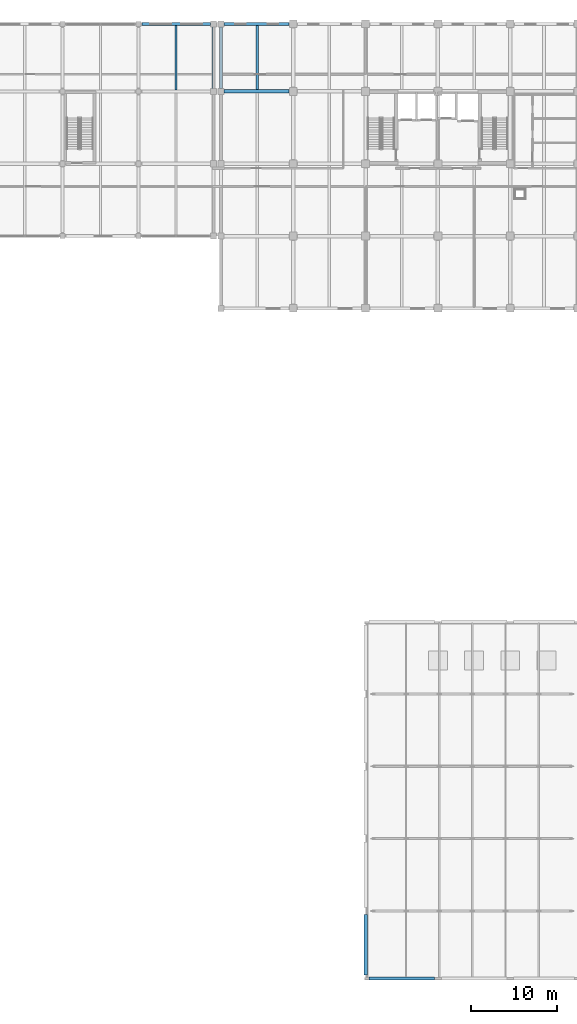
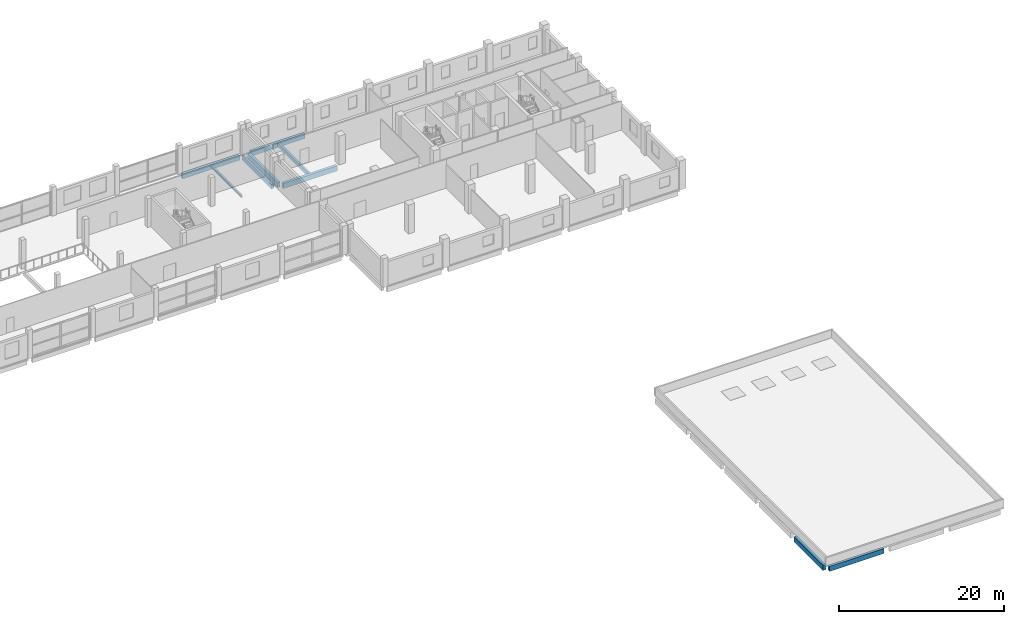
# One storey, part 13 of 38: 9 beams.
"""IFC4 building model written with IfcOpenShell, lengths in metres."""

from ifc_helpers import new_model, si_unit, direction, frame, origin, origin_2d, place, context, subcontext, project, spatial, rectangle, i_section, extrude, material, material_profile, profile_set, type_object, element, save


model = new_model("IFC4")

# Units and contexts
model_context = context("Model", 3, precision=1e-05, world=origin(), true_north=direction((0.0, 1.0)))
body_context = subcontext(model_context, "Body", "Model", "MODEL_VIEW")
ifc_project = project(units=[si_unit("LENGTHUNIT", "METRE"), si_unit("AREAUNIT", "SQUARE_METRE"), si_unit("VOLUMEUNIT", "CUBIC_METRE"), si_unit("PLANEANGLEUNIT", "RADIAN"), si_unit("MASSUNIT", "GRAM", prefix="KILO")], contexts=[model_context])

# Site, building, storey
site_placement = place(None, origin())
site = spatial("IfcSite", under=ifc_project, at=site_placement, CompositionType="ELEMENT")
building_placement = place(site_placement, origin())
building = spatial("IfcBuilding", under=site, at=building_placement, Name="Brinegate Botanical Conservatory", CompositionType="ELEMENT")
storey_placement = place(building_placement, frame((0.0, 0.0, 10.199951171875)))
storey = spatial("IfcBuildingStorey", under=building, at=storey_placement, Name="L03", CompositionType="ELEMENT", Elevation=10.199951171875)

# Beams
ifc_material_1 = material(Name="Concrete C50/60", Category="concrete")
ifc_material_profile_1 = material_profile(ifc_material_1, rectangle(XDim=0.39990234375, YDim=0.75, at=origin_2d()), Name="RC BM 400x750")
ifc_profile_set_1 = profile_set([ifc_material_profile_1], Name="Concrete C50/60")
beam_type_1 = type_object("IfcBeamType", Name="Beam_BM-T1", PredefinedType="BEAM", material=ifc_profile_set_1)
beam_1_placement = place(storey_placement, frame((122.35009765625, 103.60009765625, -0.594970703125), z_axis=(1.0, 0.0, 0.0), x_axis=(0.0, 1.0, 0.0)))
element("IfcBeam", 1, at=beam_1_placement, inside=storey, type_object=beam_type_1, Name="Beam BM-T1 L03 N:16-17", PredefinedType="BEAM", context=body_context, shape_type="SweptSolid", body=[
    extrude(rectangle(XDim=0.39990234375, YDim=0.75, at=origin_2d()), origin(), (0.0, 0.0, 1.0), 7.5498046875),
])
beam_2_placement = place(storey_placement, frame((122.0, 103.949951171875, -0.594970703125), z_axis=(0.0, 1.0, 0.0), x_axis=(-1.0, 0.0, 0.0)))
element("IfcBeam", 2, at=beam_2_placement, inside=storey, type_object=beam_type_1, Name="Beam BM-T1 L03 16:N-P", PredefinedType="BEAM", context=body_context, shape_type="SweptSolid", body=[
    extrude(rectangle(XDim=0.39990234375, YDim=0.75, at=origin_2d()), origin(), (0.0, 0.0, 1.0), 7.150146484375),
])
beam_3_placement = place(storey_placement, frame((138.800048828125, 0.949951171875, -0.574951171875), z_axis=(0.0, 1.0, 0.0), x_axis=(-1.0, 0.0, 0.0)))
element("IfcBeam", 3, at=beam_3_placement, inside=storey, type_object=beam_type_1, Name="Beam BM-T1 L03 18:A-B", PredefinedType="BEAM", context=body_context, shape_type="SweptSolid", body=[
    extrude(rectangle(XDim=0.39990234375, YDim=0.75, at=origin_2d()), origin(), (0.0, 0.0, 1.0), 7.050048828125),
])
ifc_material_2 = material(Name="Concrete C40/50", Category="concrete")
ifc_material_profile_2 = material_profile(ifc_material_2, rectangle(XDim=0.35009765625, YDim=0.64990234375, at=origin_2d()), Name="RC BM 350x650")
ifc_profile_set_2 = profile_set([ifc_material_profile_2], Name="Concrete C40/50")
beam_type_2 = type_object("IfcBeamType", Name="Beam_BM-V3", PredefinedType="BEAM", material=ifc_profile_set_2)
beam_4_placement = place(storey_placement, frame((121.14990234375, 103.949951171875, -0.544921875), z_axis=(0.0, 1.0, 0.0), x_axis=(-1.0, 0.0, 0.0)))
element("IfcBeam", 4, at=beam_4_placement, inside=storey, type_object=beam_type_2, Name="Beam BM-V3 L03 15:N-P", PredefinedType="BEAM", context=body_context, shape_type="SweptSolid", body=[
    extrude(rectangle(XDim=0.35009765625, YDim=0.64990234375, at=origin_2d()), origin(), (0.0, 0.0, 1.0), 7.150146484375),
])
ifc_material_profile_3 = material_profile(ifc_material_2, rectangle(XDim=0.300048828125, YDim=0.550048828125, at=origin_2d()), Name="RC JST 300x550")
ifc_profile_set_3 = profile_set([ifc_material_profile_3], Name="Concrete C40/50")
beam_type_3 = type_object("IfcBeamType", Name="Beam_JS-C1", PredefinedType="JOIST", material=ifc_profile_set_3)
beam_5_placement = place(storey_placement, frame((126.199951171875, 103.800048828125, -0.494873046875), z_axis=(0.0, 1.0, 0.0), x_axis=(-1.0, 0.0, 0.0)))
element("IfcBeam", 5, at=beam_5_placement, inside=storey, type_object=beam_type_3, Name="Floor joist JS-C1 L03 bay 16.13", PredefinedType="JOIST", context=body_context, shape_type="SweptSolid", body=[
    extrude(rectangle(XDim=0.300048828125, YDim=0.550048828125, at=origin_2d()), origin(), (0.0, 0.0, 1.0), 7.474853515625),
])
ifc_material_3 = material(Name="Structural steel Q355B / S355", Category="steel")
ifc_material_profile_4 = material_profile(ifc_material_3, i_section(OverallWidth=0.25, OverallDepth=0.340087890625, WebThickness=0.009033203125, FlangeThickness=0.013916015625, at=origin_2d()), Name="HM 340x250x9x14")
ifc_profile_set_4 = profile_set([ifc_material_profile_4], Name="Structural steel Q355B / S355")
beam_type_4 = type_object("IfcBeamType", Name="Beam_JS-S5", PredefinedType="JOIST", material=ifc_profile_set_4)
beam_6_placement = place(storey_placement, frame((116.77490234375, 103.77490234375, -0.389892578125), z_axis=(0.0, 1.0, 0.0), x_axis=(-1.0, 0.0, 0.0)))
element("IfcBeam", 6, at=beam_6_placement, inside=storey, type_object=beam_type_4, Name="Floor joist JS-S5 L03 bay 14.13", PredefinedType="JOIST", context=body_context, shape_type="SweptSolid", body=[
    extrude(i_section(OverallWidth=0.25, OverallDepth=0.340087890625, WebThickness=0.009033203125, FlangeThickness=0.013916015625, at=origin_2d()), origin(), (0.0, 0.0, 1.0), 7.5),
])
ifc_material_profile_5 = material_profile(ifc_material_2, rectangle(XDim=0.35009765625, YDim=0.75, at=origin_2d()), Name="RC SPN 350x750")
ifc_profile_set_5 = profile_set([ifc_material_profile_5], Name="Concrete C40/50")
beam_type_5 = type_object("IfcBeamType", Name="Beam_SP-01", PredefinedType="SPANDREL", material=ifc_profile_set_5)
beam_7_placement = place(storey_placement, frame((139.199951171875, 0.550048828125, -0.574951171875), z_axis=(1.0, 0.0, 0.0), x_axis=(0.0, 1.0, 0.0)))
element("IfcBeam", 7, at=beam_7_placement, inside=storey, type_object=beam_type_5, Name="Beam SP-01 L03 A:18-19", PredefinedType="SPANDREL", context=body_context, shape_type="SweptSolid", body=[
    extrude(rectangle(XDim=0.35009765625, YDim=0.75, at=origin_2d()), origin(), (0.0, 0.0, 1.0), 7.60009765625),
])
beam_8_placement = place(storey_placement, frame((112.800048828125, 111.449951171875, -0.594970703125), z_axis=(1.0, 0.0, 0.0), x_axis=(0.0, 1.0, 0.0)))
element("IfcBeam", 8, at=beam_8_placement, inside=storey, type_object=beam_type_5, Name="Beam SP-01 L03 P:14-15", PredefinedType="SPANDREL", context=body_context, shape_type="SweptSolid", body=[
    extrude(rectangle(XDim=0.35009765625, YDim=0.75, at=origin_2d()), origin(), (0.0, 0.0, 1.0), 8.0),
])
beam_9_placement = place(storey_placement, frame((122.35009765625, 111.449951171875, -0.594970703125), z_axis=(1.0, 0.0, 0.0), x_axis=(0.0, 1.0, 0.0)))
element("IfcBeam", 9, at=beam_9_placement, inside=storey, type_object=beam_type_5, Name="Beam SP-01 L03 P:16-17", PredefinedType="SPANDREL", context=body_context, shape_type="SweptSolid", body=[
    extrude(rectangle(XDim=0.35009765625, YDim=0.75, at=origin_2d()), origin(), (0.0, 0.0, 1.0), 7.5498046875),
])

save(model, "model.ifc")
